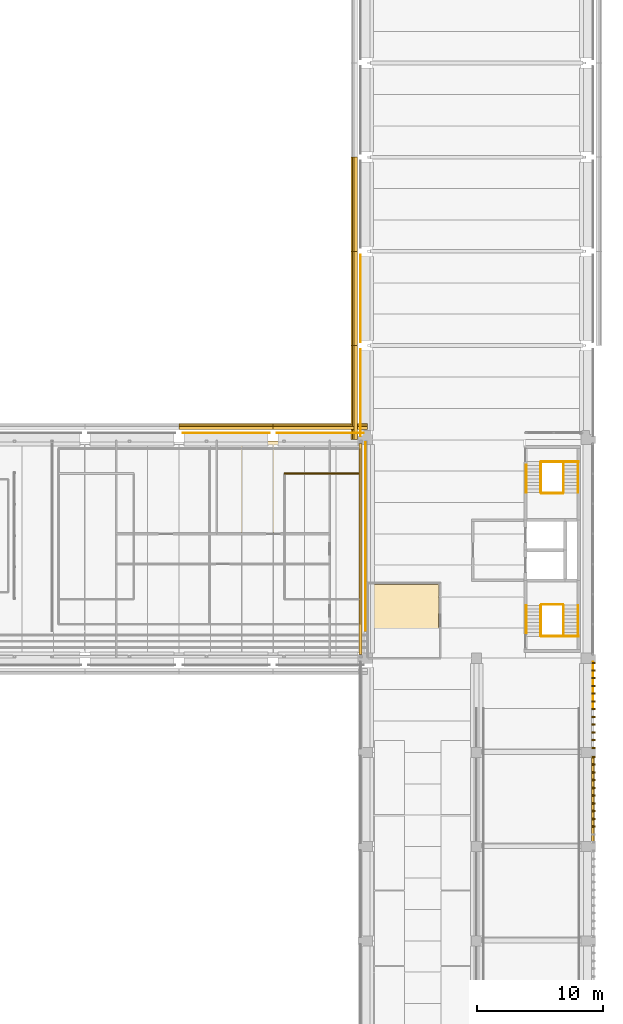
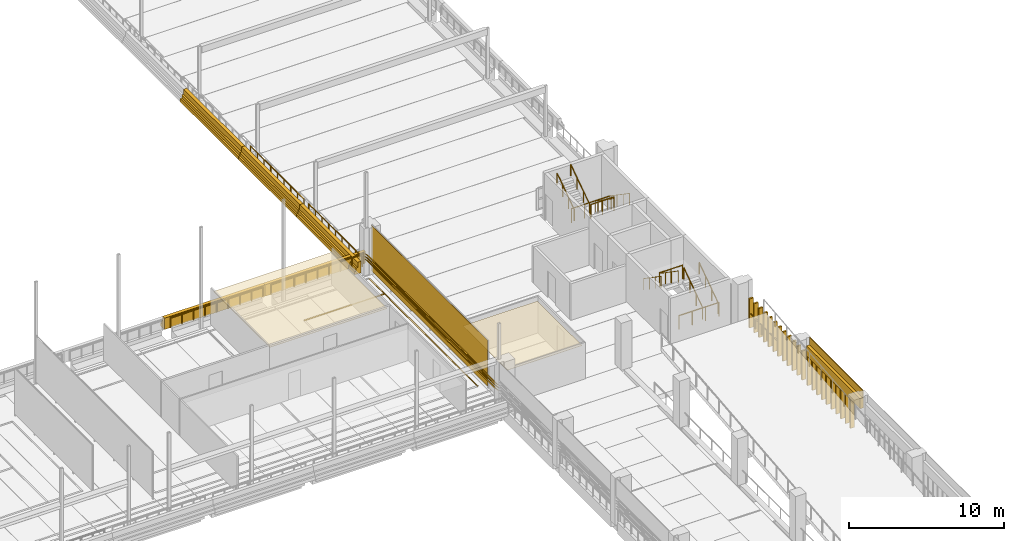
# One storey, part 57 of 62: 33 coverings, 17 railings, 3 shading devices.
"""IFC4 building model written with IfcOpenShell, lengths in metres."""

from ifc_helpers import new_model, si_unit, direction, frame, origin, origin_2d, place, context, subcontext, project, spatial, polyline, rectangle, circle, outline, extrude, material, layer, layer_set, material_profile, profile_set, type_object, element, save


model = new_model("IFC4")

# Units and contexts
model_context = context("Model", 3, precision=1e-05, world=origin(), true_north=direction((0.0, 1.0)))
body_context = subcontext(model_context, "Body", "Model", "MODEL_VIEW")
ifc_project = project(units=[si_unit("LENGTHUNIT", "METRE"), si_unit("AREAUNIT", "SQUARE_METRE"), si_unit("VOLUMEUNIT", "CUBIC_METRE"), si_unit("PLANEANGLEUNIT", "RADIAN"), si_unit("MASSUNIT", "GRAM", prefix="KILO")], contexts=[model_context])

# Site, building, storey
site_placement = place(None, origin())
site = spatial("IfcSite", under=ifc_project, at=site_placement, CompositionType="ELEMENT")
building_placement = place(site_placement, origin())
building = spatial("IfcBuilding", under=site, at=building_placement, Name="Cour d'Honneur Mobility Palace", CompositionType="ELEMENT")
storey_placement = place(building_placement, frame((0.0, 0.0, 19.300048828125)))
storey = spatial("IfcBuildingStorey", under=building, at=storey_placement, Name="L05", CompositionType="ELEMENT", Elevation=19.300048828125)

# Covering
ifc_material_1 = material(Name="Polyethylene ball-stop net dark green")
ifc_layer_1 = layer(ifc_material_1, 0.010009765625)
ifc_layer_set_1 = layer_set([ifc_layer_1], Name="Polyethylene ball-stop net dark green")
covering_type_1 = type_object("IfcCoveringType", Name="Ball-stop net", PredefinedType="CLADDING", material=ifc_layer_set_1)
covering_1_placement = place(storey_placement, frame((144.760009765625, 47.199951171875, 0.14990234375), z_axis=(1.0, 0.0, 0.0), x_axis=(0.0, 1.0, 0.0)))
element("IfcCovering", 1, at=covering_1_placement, inside=storey, type_object=covering_type_1, Name="Ball-stop net FE-6", PredefinedType="CLADDING", context=body_context, shape_type="SweptSolid", body=[
    extrude(outline(polyline([(0.0, 0.0), (15.0, 0.0), (15.0, 3.590087890625), (0.0, 3.590087890625), (0.0, 0.0)])), origin(), (0.0, 0.0, -1.0), 0.010009765625),
])

# Railings
ifc_material_2 = material(Name="Painted steel", Category="steel")
railing_type_1 = type_object("IfcRailingType", Name="Balustrade", PredefinedType="BALUSTRADE", material=ifc_material_2)
railing_1_placement = place(storey_placement, frame((162.85009765625, 41.0, 0.300048828125)))
element("IfcRailing", 2, at=railing_1_placement, inside=storey, type_object=railing_type_1, Name="Balustrade BAL-292", PredefinedType="BALUSTRADE", context=body_context, shape_type="SweptSolid", body=[
    extrude(circle(Radius=0.02392578125, at=origin_2d()), frame((0.0, 0.0, 0.77587890625), z_axis=(0.0, 1.0, 0.0), x_axis=(-1.0, 0.0, 0.0)), (0.0, 0.0, 1.0), 3.699951171875),
    extrude(circle(Radius=0.02099609375, at=origin_2d()), origin(), (0.0, 0.0, 1.0), 0.751953125),
    extrude(circle(Radius=0.02099609375, at=origin_2d()), frame((0.0, 0.739990234375, 0.0)), (0.0, 0.0, 1.0), 0.751953125),
    extrude(circle(Radius=0.02099609375, at=origin_2d()), frame((0.0, 1.47998046875, 0.0)), (0.0, 0.0, 1.0), 0.751953125),
    extrude(circle(Radius=0.02099609375, at=origin_2d()), frame((0.0, 2.219970703125, 0.0)), (0.0, 0.0, 1.0), 0.751953125),
    extrude(circle(Radius=0.02099609375, at=origin_2d()), frame((0.0, 2.9599609375, 0.0)), (0.0, 0.0, 1.0), 0.751953125),
    extrude(circle(Radius=0.02099609375, at=origin_2d()), frame((0.0, 3.699951171875, 0.0)), (0.0, 0.0, 1.0), 0.751953125),
])
for number, where, name in (
    (3, (144.35009765625, 77.10009765625, 0.300048828125), "Balustrade BAL-305"),
    (4, (144.35009765625, 69.60009765625, 0.300048828125), "Balustrade BAL-306"),
):
    element("IfcRailing", number, at=place(storey_placement, frame(where)), inside=storey, type_object=railing_type_1, Name=name, PredefinedType="BALUSTRADE", context=body_context, shape_type="SweptSolid", body=[
        extrude(circle(Radius=0.02392578125, at=origin_2d()), frame((0.0, 0.0, 0.77587890625), z_axis=(0.0, -1.0, 0.0), x_axis=(1.0, 0.0, 0.0)), (0.0, 0.0, 1.0), 6.900146484375),
        extrude(circle(Radius=0.02099609375, at=origin_2d()), origin(), (0.0, 0.0, 1.0), 0.751953125),
        extrude(circle(Radius=0.02099609375, at=origin_2d()), frame((0.0, -0.862548828125, 0.0)), (0.0, 0.0, 1.0), 0.751953125),
        extrude(circle(Radius=0.02099609375, at=origin_2d()), frame((0.0, -1.72509765625, 0.0)), (0.0, 0.0, 1.0), 0.751953125),
        extrude(circle(Radius=0.02099609375, at=origin_2d()), frame((0.0, -2.587646484375, 0.0)), (0.0, 0.0, 1.0), 0.751953125),
        extrude(circle(Radius=0.02099609375, at=origin_2d()), frame((0.0, -3.4501953125, 0.0)), (0.0, 0.0, 1.0), 0.751953125),
        extrude(circle(Radius=0.02099609375, at=origin_2d()), frame((0.0, -4.3125, 0.0)), (0.0, 0.0, 1.0), 0.751953125),
        extrude(circle(Radius=0.02099609375, at=origin_2d()), frame((0.0, -5.175048828125, 0.0)), (0.0, 0.0, 1.0), 0.751953125),
        extrude(circle(Radius=0.02099609375, at=origin_2d()), frame((0.0, -6.03759765625, 0.0)), (0.0, 0.0, 1.0), 0.751953125),
        extrude(circle(Radius=0.02099609375, at=origin_2d()), frame((0.0, -6.900146484375, 0.0)), (0.0, 0.0, 1.0), 0.751953125),
    ])
for number, where, name in (
    (5, (144.60009765625, 62.949951171875, 0.300048828125), "Balustrade BAL-307"),
    (6, (137.10009765625, 62.949951171875, 0.300048828125), "Balustrade BAL-308"),
):
    element("IfcRailing", number, at=place(storey_placement, frame(where)), inside=storey, type_object=railing_type_1, Name=name, PredefinedType="BALUSTRADE", context=body_context, shape_type="SweptSolid", body=[
        extrude(circle(Radius=0.02392578125, at=origin_2d()), frame((0.0, 0.0, 0.77587890625), z_axis=(-1.0, 0.0, 0.0), x_axis=(0.0, -1.0, 0.0)), (0.0, 0.0, 1.0), 6.900146484375),
        extrude(circle(Radius=0.02099609375, at=origin_2d()), origin(), (0.0, 0.0, 1.0), 0.751953125),
        extrude(circle(Radius=0.02099609375, at=origin_2d()), frame((-0.862548828125, 0.0, 0.0)), (0.0, 0.0, 1.0), 0.751953125),
        extrude(circle(Radius=0.02099609375, at=origin_2d()), frame((-1.72509765625, 0.0, 0.0)), (0.0, 0.0, 1.0), 0.751953125),
        extrude(circle(Radius=0.02099609375, at=origin_2d()), frame((-2.587646484375, 0.0, 0.0)), (0.0, 0.0, 1.0), 0.751953125),
        extrude(circle(Radius=0.02099609375, at=origin_2d()), frame((-3.4501953125, 0.0, 0.0)), (0.0, 0.0, 1.0), 0.751953125),
        extrude(circle(Radius=0.02099609375, at=origin_2d()), frame((-4.3125, 0.0, 0.0)), (0.0, 0.0, 1.0), 0.751953125),
        extrude(circle(Radius=0.02099609375, at=origin_2d()), frame((-5.175048828125, 0.0, 0.0)), (0.0, 0.0, 1.0), 0.751953125),
        extrude(circle(Radius=0.02099609375, at=origin_2d()), frame((-6.03759765625, 0.0, 0.0)), (0.0, 0.0, 1.0), 0.751953125),
        extrude(circle(Radius=0.02099609375, at=origin_2d()), frame((-6.900146484375, 0.0, 0.0)), (0.0, 0.0, 1.0), 0.751953125),
    ])

# Coverings
ifc_material_3 = material(Name="White court marking paint")
ifc_material_profile = material_profile(ifc_material_3, rectangle(XDim=0.10009765625, YDim=0.001953125, at=origin_2d()), Name="Court line marking")
ifc_profile_set = profile_set([ifc_material_profile], Name="White court marking paint")
covering_type_2 = type_object("IfcCoveringType", Name="Court line marking", PredefinedType="FLOORING", material=ifc_profile_set)
covering_2_placement = place(storey_placement, frame((144.300048828125, 47.699951171875, 0.0009765625), z_axis=(0.0, 1.0, 0.0), x_axis=(-1.0, 0.0, 0.0)))
element("IfcCovering", 7, at=covering_2_placement, inside=storey, type_object=covering_type_2, Name="Court marking FE-20", PredefinedType="FLOORING", context=body_context, shape_type="SweptSolid", body=[
    extrude(rectangle(XDim=0.10009765625, YDim=0.001953125, at=origin_2d()), origin(), (0.0, 0.0, 1.0), 14.0),
])
covering_3_placement = place(storey_placement, frame((144.300048828125, 59.699951171875, 0.0009765625), z_axis=(-1.0, 0.0, 0.0), x_axis=(0.0, -1.0, 0.0)))
element("IfcCovering", 8, at=covering_3_placement, inside=storey, type_object=covering_type_2, Name="Court marking FE-29", PredefinedType="FLOORING", context=body_context, shape_type="SweptSolid", body=[
    extrude(rectangle(XDim=0.10009765625, YDim=0.001953125, at=origin_2d()), origin(), (0.0, 0.0, 1.0), 6.0),
])
ifc_material_4 = material(Name="Cast limestone", Category="masonry")
ifc_layer_2 = layer(ifc_material_4, 0.5)
ifc_layer_set_2 = layer_set([ifc_layer_2], Name="Cast limestone")
covering_type_3 = type_object("IfcCoveringType", Name="Crown cornice", PredefinedType="CLADDING", material=ifc_layer_set_2)
for number, where, z_axis, x_axis, name in (
    (9, (144.10009765625, 84.89990234375, 0.099853515625), (0.0, 1.0, 0.0), (-1.0, 0.0, 0.0), "Crown cornice CN-22"),
    (10, (144.10009765625, 77.39990234375, 0.099853515625), (0.0, 1.0, 0.0), (-1.0, 0.0, 0.0), "Crown cornice CN-23"),
    (11, (144.10009765625, 69.89990234375, 0.099853515625), (0.0, 1.0, 0.0), (-1.0, 0.0, 0.0), "Crown cornice CN-24"),
    (12, (144.89990234375, 63.199951171875, 0.099853515625), (1.0, 0.0, 0.0), (0.0, 1.0, 0.0), "Crown cornice CN-25"),
    (13, (137.39990234375, 63.199951171875, 0.099853515625), (1.0, 0.0, 0.0), (0.0, 1.0, 0.0), "Crown cornice CN-26"),
):
    element("IfcCovering", number, at=place(storey_placement, frame(where, z_axis=z_axis, x_axis=x_axis)), inside=storey, type_object=covering_type_3, Name=name, PredefinedType="CLADDING", context=body_context, shape_type="SweptSolid", body=[
        extrude(outline(polyline([(0.0, 0.0), (0.5, 0.0), (0.5, 0.25), (0.380126953125, 0.25), (0.380126953125, 0.5), (0.25, 0.5), (0.25, 0.900146484375), (0.0, 0.900146484375), (0.0, 0.0)])), origin(), (0.0, 0.0, -1.0), 7.5),
    ])

# Railings
ifc_material_5 = material(Name="Painted steel", Category="steel")
railing_type_2 = type_object("IfcRailingType", Name="Guardrail 1100", PredefinedType="GUARDRAIL", material=ifc_material_5)
railing_2_placement = place(storey_placement, frame((158.75, 46.7548828125, 0.0)))
element("IfcRailing", 14, at=railing_2_placement, inside=storey, type_object=railing_type_2, Name="Guard ST-CE1", PredefinedType="GUARDRAIL", context=body_context, shape_type="SweptSolid", body=[
    extrude(circle(Radius=0.02490234375, at=origin_2d()), frame((0.0, 0.0, 1.0751953125), z_axis=(1.0, 0.0, 0.0), x_axis=(0.0, 1.0, 0.0)), (0.0, 0.0, 1.0), 2.97509765625),
    extrude(circle(Radius=0.02099609375, at=origin_2d()), origin(), (0.0, 0.0, 1.0), 1.050048828125),
    extrude(circle(Radius=0.02099609375, at=origin_2d()), frame((0.99169921875, 0.0, 0.0)), (0.0, 0.0, 1.0), 1.050048828125),
    extrude(circle(Radius=0.02099609375, at=origin_2d()), frame((1.9833984375, 0.0, 0.0)), (0.0, 0.0, 1.0), 1.050048828125),
    extrude(circle(Radius=0.02099609375, at=origin_2d()), frame((2.97509765625, 0.0, 0.0)), (0.0, 0.0, 1.0), 1.050048828125),
])
railing_3_placement = place(storey_placement, frame((158.75, 49.264892578125, 1.849853515625)))
element("IfcRailing", 15, at=railing_3_placement, inside=storey, type_object=railing_type_2, Name="Landing guard ST-CE1", PredefinedType="GUARDRAIL", context=body_context, shape_type="SweptSolid", body=[
    extrude(circle(Radius=0.02490234375, at=origin_2d()), frame((0.0, 0.0, 1.0751953125), z_axis=(1.0, 0.0, 0.0), x_axis=(0.0, 1.0, 0.0)), (0.0, 0.0, 1.0), 1.72509765625),
    extrude(circle(Radius=0.02099609375, at=origin_2d()), origin(), (0.0, 0.0, 1.0), 1.050048828125),
    extrude(circle(Radius=0.02099609375, at=origin_2d()), frame((0.862548828125, 0.0, 0.0)), (0.0, 0.0, 1.0), 1.050048828125),
    extrude(circle(Radius=0.02099609375, at=origin_2d()), frame((1.72509765625, 0.0, 0.0)), (0.0, 0.0, 1.0), 1.050048828125),
])
railing_4_placement = place(storey_placement, frame((158.75, 60.64501953125, 0.0)))
element("IfcRailing", 16, at=railing_4_placement, inside=storey, type_object=railing_type_2, Name="Guard ST-CE2", PredefinedType="GUARDRAIL", context=body_context, shape_type="SweptSolid", body=[
    extrude(circle(Radius=0.02490234375, at=origin_2d()), frame((0.0, 0.0, 1.0751953125), z_axis=(1.0, 0.0, 0.0), x_axis=(0.0, 1.0, 0.0)), (0.0, 0.0, 1.0), 2.97509765625),
    extrude(circle(Radius=0.02099609375, at=origin_2d()), origin(), (0.0, 0.0, 1.0), 1.050048828125),
    extrude(circle(Radius=0.02099609375, at=origin_2d()), frame((0.99169921875, 0.0, 0.0)), (0.0, 0.0, 1.0), 1.050048828125),
    extrude(circle(Radius=0.02099609375, at=origin_2d()), frame((1.9833984375, 0.0, 0.0)), (0.0, 0.0, 1.0), 1.050048828125),
    extrude(circle(Radius=0.02099609375, at=origin_2d()), frame((2.97509765625, 0.0, 0.0)), (0.0, 0.0, 1.0), 1.050048828125),
])
railing_5_placement = place(storey_placement, frame((158.75, 58.135009765625, 1.849853515625)))
element("IfcRailing", 17, at=railing_5_placement, inside=storey, type_object=railing_type_2, Name="Landing guard ST-CE2", PredefinedType="GUARDRAIL", context=body_context, shape_type="SweptSolid", body=[
    extrude(circle(Radius=0.02490234375, at=origin_2d()), frame((0.0, 0.0, 1.0751953125), z_axis=(1.0, 0.0, 0.0), x_axis=(0.0, 1.0, 0.0)), (0.0, 0.0, 1.0), 1.72509765625),
    extrude(circle(Radius=0.02099609375, at=origin_2d()), origin(), (0.0, 0.0, 1.0), 1.050048828125),
    extrude(circle(Radius=0.02099609375, at=origin_2d()), frame((0.862548828125, 0.0, 0.0)), (0.0, 0.0, 1.0), 1.050048828125),
    extrude(circle(Radius=0.02099609375, at=origin_2d()), frame((1.72509765625, 0.0, 0.0)), (0.0, 0.0, 1.0), 1.050048828125),
])
ifc_material_6 = material(Name="Stainless steel", Category="steel")
railing_type_3 = type_object("IfcRailingType", Name="Handrail round 50", PredefinedType="HANDRAIL", material=ifc_material_6)
for number, where, name in (
    (18, (161.675048828125, 46.77490234375, 0.18505859375), "Handrail ST-CE1"),
    (19, (160.52490234375, 46.77490234375, 0.18505859375), "Handrail ST-CE1"),
):
    element("IfcRailing", number, at=place(storey_placement, frame(where)), inside=storey, type_object=railing_type_3, Name=name, PredefinedType="HANDRAIL", context=body_context, shape_type="SweptSolid", body=[
        extrude(circle(Radius=0.02490234375, at=origin_2d()), frame((0.0, 0.0, 0.89501953125), z_axis=(0.0, 0.824983895463, 0.565156237006), x_axis=(-1.0, 0.0, 0.0)), (0.0, 0.0, 1.0), 2.94580078125),
        extrude(circle(Radius=0.02099609375, at=origin_2d()), origin(), (0.0, 0.0, 1.0), 0.869873046875),
        extrude(circle(Radius=0.02099609375, at=origin_2d()), frame((0.0, 0.81005859375, 0.554931640625)), (0.0, 0.0, 1.0), 0.869873046875),
        extrude(circle(Radius=0.02099609375, at=origin_2d()), frame((0.0, 1.6201171875, 1.10986328125)), (0.0, 0.0, 1.0), 0.869873046875),
        extrude(circle(Radius=0.02099609375, at=origin_2d()), frame((0.0, 2.43017578125, 1.664794921875)), (0.0, 0.0, 1.0), 0.869873046875),
    ])
railing_6_placement = place(storey_placement, frame((158.699951171875, 49.205078125, 2.034912109375)))
element("IfcRailing", 20, at=railing_6_placement, inside=storey, type_object=railing_type_3, Name="Handrail ST-CE1", PredefinedType="HANDRAIL", context=body_context, shape_type="SweptSolid", body=[
    extrude(circle(Radius=0.02490234375, at=origin_2d()), frame((0.0, 0.0, 0.89501953125), z_axis=(0.0, -0.824945253146, 0.565212640793), x_axis=(1.0, 0.0, 0.0)), (0.0, 0.0, 1.0), 2.94580078125),
    extrude(circle(Radius=0.02099609375, at=origin_2d()), origin(), (0.0, 0.0, 1.0), 0.869873046875),
    extrude(circle(Radius=0.02099609375, at=origin_2d()), frame((0.0, -0.81005859375, 0.554931640625)), (0.0, 0.0, 1.0), 0.869873046875),
    extrude(circle(Radius=0.02099609375, at=origin_2d()), frame((0.0, -1.6201171875, 1.110107421875)), (0.0, 0.0, 1.0), 0.869873046875),
    extrude(circle(Radius=0.02099609375, at=origin_2d()), frame((0.0, -2.43017578125, 1.6650390625)), (0.0, 0.0, 1.0), 0.869873046875),
])
railing_7_placement = place(storey_placement, frame((157.550048828125, 49.205078125, 2.034912109375)))
element("IfcRailing", 21, at=railing_7_placement, inside=storey, type_object=railing_type_3, Name="Handrail ST-CE1", PredefinedType="HANDRAIL", context=body_context, shape_type="SweptSolid", body=[
    extrude(circle(Radius=0.02490234375, at=origin_2d()), frame((0.0, 0.0, 0.89501953125), z_axis=(0.0, -0.824957609129, 0.565194606432), x_axis=(1.0, 0.0, 0.0)), (0.0, 0.0, 1.0), 2.6728515625),
    extrude(circle(Radius=0.02099609375, at=origin_2d()), origin(), (0.0, 0.0, 1.0), 0.869873046875),
    extrude(circle(Radius=0.02099609375, at=origin_2d()), frame((0.0, -0.735107421875, 0.503662109375)), (0.0, 0.0, 1.0), 0.869873046875),
    extrude(circle(Radius=0.02099609375, at=origin_2d()), frame((0.0, -1.469970703125, 1.007080078125)), (0.0, 0.0, 1.0), 0.869873046875),
    extrude(circle(Radius=0.02099609375, at=origin_2d()), frame((0.0, -2.205078125, 1.5107421875)), (0.0, 0.0, 1.0), 0.869873046875),
])
for number, where, name in (
    (22, (161.675048828125, 60.625, 0.18505859375), "Handrail ST-CE2"),
    (23, (160.52490234375, 60.625, 0.18505859375), "Handrail ST-CE2"),
):
    element("IfcRailing", number, at=place(storey_placement, frame(where)), inside=storey, type_object=railing_type_3, Name=name, PredefinedType="HANDRAIL", context=body_context, shape_type="SweptSolid", body=[
        extrude(circle(Radius=0.02490234375, at=origin_2d()), frame((0.0, 0.0, 0.89501953125), z_axis=(0.0, -0.824957420862, 0.565194881227), x_axis=(1.0, 0.0, 0.0)), (0.0, 0.0, 1.0), 2.945556640625),
        extrude(circle(Radius=0.02099609375, at=origin_2d()), origin(), (0.0, 0.0, 1.0), 0.869873046875),
        extrude(circle(Radius=0.02099609375, at=origin_2d()), frame((0.0, -0.81005859375, 0.554931640625)), (0.0, 0.0, 1.0), 0.869873046875),
        extrude(circle(Radius=0.02099609375, at=origin_2d()), frame((0.0, -1.619873046875, 1.10986328125)), (0.0, 0.0, 1.0), 0.869873046875),
        extrude(circle(Radius=0.02099609375, at=origin_2d()), frame((0.0, -2.429931640625, 1.664794921875)), (0.0, 0.0, 1.0), 0.869873046875),
    ])
railing_8_placement = place(storey_placement, frame((158.699951171875, 58.195068359375, 2.034912109375)))
element("IfcRailing", 24, at=railing_8_placement, inside=storey, type_object=railing_type_3, Name="Handrail ST-CE2", PredefinedType="HANDRAIL", context=body_context, shape_type="SweptSolid", body=[
    extrude(circle(Radius=0.02490234375, at=origin_2d()), frame((0.0, 0.0, 0.89501953125), z_axis=(0.0, 0.8249187745, 0.56525128525), x_axis=(-1.0, 0.0, 0.0)), (0.0, 0.0, 1.0), 2.945556640625),
    extrude(circle(Radius=0.02099609375, at=origin_2d()), origin(), (0.0, 0.0, 1.0), 0.869873046875),
    extrude(circle(Radius=0.02099609375, at=origin_2d()), frame((0.0, 0.81005859375, 0.554931640625)), (0.0, 0.0, 1.0), 0.869873046875),
    extrude(circle(Radius=0.02099609375, at=origin_2d()), frame((0.0, 1.619873046875, 1.110107421875)), (0.0, 0.0, 1.0), 0.869873046875),
    extrude(circle(Radius=0.02099609375, at=origin_2d()), frame((0.0, 2.429931640625, 1.6650390625)), (0.0, 0.0, 1.0), 0.869873046875),
])
railing_9_placement = place(storey_placement, frame((157.550048828125, 58.195068359375, 2.034912109375)))
element("IfcRailing", 25, at=railing_9_placement, inside=storey, type_object=railing_type_3, Name="Handrail ST-CE2", PredefinedType="HANDRAIL", context=body_context, shape_type="SweptSolid", body=[
    extrude(circle(Radius=0.02490234375, at=origin_2d()), frame((0.0, 0.0, 0.89501953125), z_axis=(0.0, 0.824928428624, 0.565237195917), x_axis=(-1.0, 0.0, 0.0)), (0.0, 0.0, 1.0), 2.6728515625),
    extrude(circle(Radius=0.02099609375, at=origin_2d()), origin(), (0.0, 0.0, 1.0), 0.869873046875),
    extrude(circle(Radius=0.02099609375, at=origin_2d()), frame((0.0, 0.73486328125, 0.503662109375)), (0.0, 0.0, 1.0), 0.869873046875),
    extrude(circle(Radius=0.02099609375, at=origin_2d()), frame((0.0, 1.469970703125, 1.007080078125)), (0.0, 0.0, 1.0), 0.869873046875),
    extrude(circle(Radius=0.02099609375, at=origin_2d()), frame((0.0, 2.204833984375, 1.5107421875)), (0.0, 0.0, 1.0), 0.869873046875),
])

# Coverings
ifc_material_7 = material(Name="Cast limestone", Category="masonry")
ifc_layer_3 = layer(ifc_material_7, 0.1201171875)
ifc_layer_set_3 = layer_set([ifc_layer_3], Name="Cast limestone")
covering_type_4 = type_object("IfcCoveringType", Name="Ramp screen fin", PredefinedType="CLADDING", material=ifc_layer_set_3)
covering_4_placement = place(storey_placement, origin())
element("IfcCovering", 26, at=covering_4_placement, inside=storey, type_object=covering_type_4, Name="Ramp screen fin E4.4 L05 3", PredefinedType="CLADDING", context=body_context, shape_type="SweptSolid", body=[
    extrude(outline(polyline([(162.75, 31.53271484375), (162.75, 31.65283203125), (163.050048828125, 31.65283203125), (163.050048828125, 31.53271484375), (162.75, 31.53271484375)])), origin(), (0.0, 0.0, 1.0), 2.300048828125),
])
covering_5_placement = place(storey_placement, origin())
element("IfcCovering", 27, at=covering_5_placement, inside=storey, type_object=covering_type_4, Name="Ramp screen fin E4.4 L05 4", PredefinedType="CLADDING", context=body_context, shape_type="SweptSolid", body=[
    extrude(outline(polyline([(162.75, 32.149169921875), (162.75, 32.26904296875), (163.050048828125, 32.26904296875), (163.050048828125, 32.149169921875), (162.75, 32.149169921875)])), origin(), (0.0, 0.0, 1.0), 2.300048828125),
])
covering_6_placement = place(storey_placement, origin())
element("IfcCovering", 28, at=covering_6_placement, inside=storey, type_object=covering_type_4, Name="Ramp screen fin E4.4 L05 5", PredefinedType="CLADDING", context=body_context, shape_type="SweptSolid", body=[
    extrude(outline(polyline([(162.75, 32.765380859375), (162.75, 32.885498046875), (163.050048828125, 32.885498046875), (163.050048828125, 32.765380859375), (162.75, 32.765380859375)])), origin(), (0.0, 0.0, 1.0), 2.300048828125),
])
covering_7_placement = place(storey_placement, origin())
element("IfcCovering", 29, at=covering_7_placement, inside=storey, type_object=covering_type_4, Name="Ramp screen fin E4.4 L05 6", PredefinedType="CLADDING", context=body_context, shape_type="SweptSolid", body=[
    extrude(outline(polyline([(162.75, 33.3818359375), (162.75, 33.501708984375), (163.050048828125, 33.501708984375), (163.050048828125, 33.3818359375), (162.75, 33.3818359375)])), origin(), (0.0, 0.0, 1.0), 2.300048828125),
])
covering_8_placement = place(storey_placement, origin())
element("IfcCovering", 30, at=covering_8_placement, inside=storey, type_object=covering_type_4, Name="Ramp screen fin E4.4 L05 7", PredefinedType="CLADDING", context=body_context, shape_type="SweptSolid", body=[
    extrude(outline(polyline([(162.75, 33.998291015625), (162.75, 34.1181640625), (163.050048828125, 34.1181640625), (163.050048828125, 33.998291015625), (162.75, 33.998291015625)])), origin(), (0.0, 0.0, 1.0), 2.300048828125),
])
covering_9_placement = place(storey_placement, origin())
element("IfcCovering", 31, at=covering_9_placement, inside=storey, type_object=covering_type_4, Name="Ramp screen fin E4.4 L05 8", PredefinedType="CLADDING", context=body_context, shape_type="SweptSolid", body=[
    extrude(outline(polyline([(162.75, 34.614501953125), (162.75, 34.734619140625), (163.050048828125, 34.734619140625), (163.050048828125, 34.614501953125), (162.75, 34.614501953125)])), origin(), (0.0, 0.0, 1.0), 2.300048828125),
])
covering_10_placement = place(storey_placement, origin())
element("IfcCovering", 32, at=covering_10_placement, inside=storey, type_object=covering_type_4, Name="Ramp screen fin E4.4 L05 9", PredefinedType="CLADDING", context=body_context, shape_type="SweptSolid", body=[
    extrude(outline(polyline([(162.75, 35.23095703125), (162.75, 35.350830078125), (163.050048828125, 35.350830078125), (163.050048828125, 35.23095703125), (162.75, 35.23095703125)])), origin(), (0.0, 0.0, 1.0), 2.300048828125),
])
covering_11_placement = place(storey_placement, origin())
element("IfcCovering", 33, at=covering_11_placement, inside=storey, type_object=covering_type_4, Name="Ramp screen fin E4.4 L05 10", PredefinedType="CLADDING", context=body_context, shape_type="SweptSolid", body=[
    extrude(outline(polyline([(162.75, 35.84716796875), (162.75, 35.96728515625), (163.050048828125, 35.96728515625), (163.050048828125, 35.84716796875), (162.75, 35.84716796875)])), origin(), (0.0, 0.0, 1.0), 2.300048828125),
])
covering_12_placement = place(storey_placement, origin())
element("IfcCovering", 34, at=covering_12_placement, inside=storey, type_object=covering_type_4, Name="Ramp screen fin E4.4 L05 11", PredefinedType="CLADDING", context=body_context, shape_type="SweptSolid", body=[
    extrude(outline(polyline([(162.75, 36.463623046875), (162.75, 36.583740234375), (163.050048828125, 36.583740234375), (163.050048828125, 36.463623046875), (162.75, 36.463623046875)])), origin(), (0.0, 0.0, 1.0), 2.300048828125),
])
covering_13_placement = place(storey_placement, origin())
element("IfcCovering", 35, at=covering_13_placement, inside=storey, type_object=covering_type_4, Name="Ramp screen fin E4.4 L05 12", PredefinedType="CLADDING", context=body_context, shape_type="SweptSolid", body=[
    extrude(outline(polyline([(162.75, 37.080078125), (162.75, 37.199951171875), (163.050048828125, 37.199951171875), (163.050048828125, 37.080078125), (162.75, 37.080078125)])), origin(), (0.0, 0.0, 1.0), 2.300048828125),
])
covering_14_placement = place(storey_placement, origin())
element("IfcCovering", 36, at=covering_14_placement, inside=storey, type_object=covering_type_4, Name="Ramp screen fin E4.5 L05 1", PredefinedType="CLADDING", context=body_context, shape_type="SweptSolid", body=[
    extrude(outline(polyline([(162.75, 37.800048828125), (162.75, 37.919921875), (163.050048828125, 37.919921875), (163.050048828125, 37.800048828125), (162.75, 37.800048828125)])), origin(), (0.0, 0.0, 1.0), 2.300048828125),
])
covering_15_placement = place(storey_placement, origin())
element("IfcCovering", 37, at=covering_15_placement, inside=storey, type_object=covering_type_4, Name="Ramp screen fin E4.5 L05 2", PredefinedType="CLADDING", context=body_context, shape_type="SweptSolid", body=[
    extrude(outline(polyline([(162.75, 38.416259765625), (162.75, 38.536376953125), (163.050048828125, 38.536376953125), (163.050048828125, 38.416259765625), (162.75, 38.416259765625)])), origin(), (0.0, 0.0, 1.0), 2.300048828125),
])
covering_16_placement = place(storey_placement, origin())
element("IfcCovering", 38, at=covering_16_placement, inside=storey, type_object=covering_type_4, Name="Ramp screen fin E4.5 L05 3", PredefinedType="CLADDING", context=body_context, shape_type="SweptSolid", body=[
    extrude(outline(polyline([(162.75, 39.03271484375), (162.75, 39.15283203125), (163.050048828125, 39.15283203125), (163.050048828125, 39.03271484375), (162.75, 39.03271484375)])), origin(), (0.0, 0.0, 1.0), 2.300048828125),
])
covering_17_placement = place(storey_placement, origin())
element("IfcCovering", 39, at=covering_17_placement, inside=storey, type_object=covering_type_4, Name="Ramp screen fin E4.5 L05 4", PredefinedType="CLADDING", context=body_context, shape_type="SweptSolid", body=[
    extrude(outline(polyline([(162.75, 39.649169921875), (162.75, 39.76904296875), (163.050048828125, 39.76904296875), (163.050048828125, 39.649169921875), (162.75, 39.649169921875)])), origin(), (0.0, 0.0, 1.0), 2.300048828125),
])
covering_18_placement = place(storey_placement, origin())
element("IfcCovering", 40, at=covering_18_placement, inside=storey, type_object=covering_type_4, Name="Ramp screen fin E4.5 L05 5", PredefinedType="CLADDING", context=body_context, shape_type="SweptSolid", body=[
    extrude(outline(polyline([(162.75, 40.265380859375), (162.75, 40.385498046875), (163.050048828125, 40.385498046875), (163.050048828125, 40.265380859375), (162.75, 40.265380859375)])), origin(), (0.0, 0.0, 1.0), 2.300048828125),
])
covering_19_placement = place(storey_placement, origin())
element("IfcCovering", 41, at=covering_19_placement, inside=storey, type_object=covering_type_4, Name="Ramp screen fin E4.5 L05 6", PredefinedType="CLADDING", context=body_context, shape_type="SweptSolid", body=[
    extrude(outline(polyline([(162.75, 40.8818359375), (162.75, 41.001708984375), (163.050048828125, 41.001708984375), (163.050048828125, 40.8818359375), (162.75, 40.8818359375)])), origin(), (0.0, 0.0, 1.0), 2.300048828125),
])
covering_20_placement = place(storey_placement, origin())
element("IfcCovering", 42, at=covering_20_placement, inside=storey, type_object=covering_type_4, Name="Ramp screen fin E4.5 L05 7", PredefinedType="CLADDING", context=body_context, shape_type="SweptSolid", body=[
    extrude(outline(polyline([(162.75, 41.498291015625), (162.75, 41.6181640625), (163.050048828125, 41.6181640625), (163.050048828125, 41.498291015625), (162.75, 41.498291015625)])), origin(), (0.0, 0.0, 1.0), 2.300048828125),
])
covering_21_placement = place(storey_placement, origin())
element("IfcCovering", 43, at=covering_21_placement, inside=storey, type_object=covering_type_4, Name="Ramp screen fin E4.5 L05 8", PredefinedType="CLADDING", context=body_context, shape_type="SweptSolid", body=[
    extrude(outline(polyline([(162.75, 42.114501953125), (162.75, 42.234619140625), (163.050048828125, 42.234619140625), (163.050048828125, 42.114501953125), (162.75, 42.114501953125)])), origin(), (0.0, 0.0, 1.0), 2.300048828125),
])
covering_22_placement = place(storey_placement, origin())
element("IfcCovering", 44, at=covering_22_placement, inside=storey, type_object=covering_type_4, Name="Ramp screen fin E4.5 L05 9", PredefinedType="CLADDING", context=body_context, shape_type="SweptSolid", body=[
    extrude(outline(polyline([(162.75, 42.73095703125), (162.75, 42.850830078125), (163.050048828125, 42.850830078125), (163.050048828125, 42.73095703125), (162.75, 42.73095703125)])), origin(), (0.0, 0.0, 1.0), 2.300048828125),
])
covering_23_placement = place(storey_placement, origin())
element("IfcCovering", 45, at=covering_23_placement, inside=storey, type_object=covering_type_4, Name="Ramp screen fin E4.5 L05 10", PredefinedType="CLADDING", context=body_context, shape_type="SweptSolid", body=[
    extrude(outline(polyline([(162.75, 43.34716796875), (162.75, 43.46728515625), (163.050048828125, 43.46728515625), (163.050048828125, 43.34716796875), (162.75, 43.34716796875)])), origin(), (0.0, 0.0, 1.0), 2.300048828125),
])
covering_24_placement = place(storey_placement, origin())
element("IfcCovering", 46, at=covering_24_placement, inside=storey, type_object=covering_type_4, Name="Ramp screen fin E4.5 L05 11", PredefinedType="CLADDING", context=body_context, shape_type="SweptSolid", body=[
    extrude(outline(polyline([(162.75, 43.963623046875), (162.75, 44.083740234375), (163.050048828125, 44.083740234375), (163.050048828125, 43.963623046875), (162.75, 43.963623046875)])), origin(), (0.0, 0.0, 1.0), 2.300048828125),
])
covering_25_placement = place(storey_placement, origin())
element("IfcCovering", 47, at=covering_25_placement, inside=storey, type_object=covering_type_4, Name="Ramp screen fin E4.5 L05 12", PredefinedType="CLADDING", context=body_context, shape_type="SweptSolid", body=[
    extrude(outline(polyline([(162.75, 44.580078125), (162.75, 44.699951171875), (163.050048828125, 44.699951171875), (163.050048828125, 44.580078125), (162.75, 44.580078125)])), origin(), (0.0, 0.0, 1.0), 2.300048828125),
])
ifc_material_8 = material(Name="Cast limestone", Category="masonry")
ifc_layer_4 = layer(ifc_material_8, 0.25)
ifc_layer_set_4 = layer_set([ifc_layer_4], Name="Cast limestone")
covering_type_5 = type_object("IfcCoveringType", Name="Spandrel cladding", PredefinedType="CLADDING", material=ifc_layer_set_4)
covering_26_placement = place(storey_placement, frame((162.75, 30.300048828125, 2.300048828125), z_axis=(0.0, -1.0, 0.0), x_axis=(1.0, 0.0, 0.0)))
element("IfcCovering", 48, at=covering_26_placement, inside=storey, type_object=covering_type_5, Name="Spandrel cladding SK-355", PredefinedType="CLADDING", context=body_context, shape_type="SweptSolid", body=[
    extrude(outline(polyline([(0.0, 0.0), (0.25, 0.0), (0.25, 1.39990234375), (0.199951171875, 1.39990234375), (0.199951171875, 0.7998046875), (0.0, 0.7998046875), (0.0, 0.0)])), origin(), (0.0, 0.0, -1.0), 6.89990234375),
])
ifc_material_9 = material(Name="Suspended ceiling")
ifc_layer_5 = layer(ifc_material_9, 0.030029296875)
ifc_layer_set_5 = layer_set([ifc_layer_5], Name="Suspended ceiling")
covering_type_6 = type_object("IfcCoveringType", Name="Suspended ceiling", PredefinedType="CEILING", material=ifc_layer_set_5)
covering_27_placement = place(storey_placement, frame((0.0, 0.0, 2.550048828125)))
element("IfcCovering", 49, at=covering_27_placement, inside=storey, type_object=covering_type_6, Name="Ceiling First Aid Post", PredefinedType="CEILING", context=body_context, shape_type="SweptSolid", body=[
    extrude(outline(polyline([(150.580078125, 45.1201171875), (145.02001953125, 45.1201171875), (145.02001953125, 50.8798828125), (150.580078125, 50.8798828125), (150.580078125, 45.1201171875)])), origin(), (0.0, 0.0, 1.0), 0.02978515625),
])
covering_28_placement = place(storey_placement, frame((0.0, 0.0, 2.550048828125)))
element("IfcCovering", 50, at=covering_28_placement, inside=storey, type_object=covering_type_6, Name="Ceiling Sports Lounge", PredefinedType="CEILING", context=body_context, shape_type="SweptSolid", body=[
    extrude(outline(polyline([(141.780029296875, 55.02001953125), (133.02001953125, 55.02001953125), (133.02001953125, 62.280029296875), (141.780029296875, 62.280029296875), (141.780029296875, 55.02001953125)])), origin(), (0.0, 0.0, 1.0), 0.02978515625),
])

# Shading devices
ifc_material_10 = material(Name="Terracotta", Category="masonry")
ifc_layer_6 = layer(ifc_material_10, 0.02490234375)
ifc_layer_set_6 = layer_set([ifc_layer_6], Name="Terracotta")
shading_device_type = type_object("IfcShadingDeviceType", Name="Terracotta louvre blade", PredefinedType="JALOUSIE", material=ifc_layer_set_6)
for number, where, z_axis, x_axis, name in (
    (51, (144.4560546875, 62.10009765625, 1.099853515625), (0.707106781187, 0.0, 0.707106781187), (0.0, -1.0, 0.0), "Louvre blade LV-1 W6.0 L05 1"),
    (52, (144.4560546875, 62.10009765625, 1.31201171875), (0.707106781187, 0.0, 0.707106781187), (0.0, -1.0, 0.0), "Louvre blade LV-1 W6.0 L05 2"),
    (53, (144.4560546875, 62.10009765625, 1.524169921875), (0.707106781187, 0.0, 0.707106781187), (0.0, -1.0, 0.0), "Louvre blade LV-1 W6.0 L05 3"),
):
    element("IfcShadingDevice", number, at=place(storey_placement, frame(where, z_axis=z_axis, x_axis=x_axis)), inside=storey, type_object=shading_device_type, Name=name, PredefinedType="JALOUSIE", context=body_context, shape_type="SweptSolid", body=[
        extrude(outline(polyline([(0.0, 0.0), (16.800048828125, 0.0), (16.800048828125, -0.30003700822808094), (0.0, -0.30003700822808094), (0.0, 0.0)])), origin(), (0.0, 0.0, -1.0), 0.02490234375),
    ])

save(model, "model.ifc")
